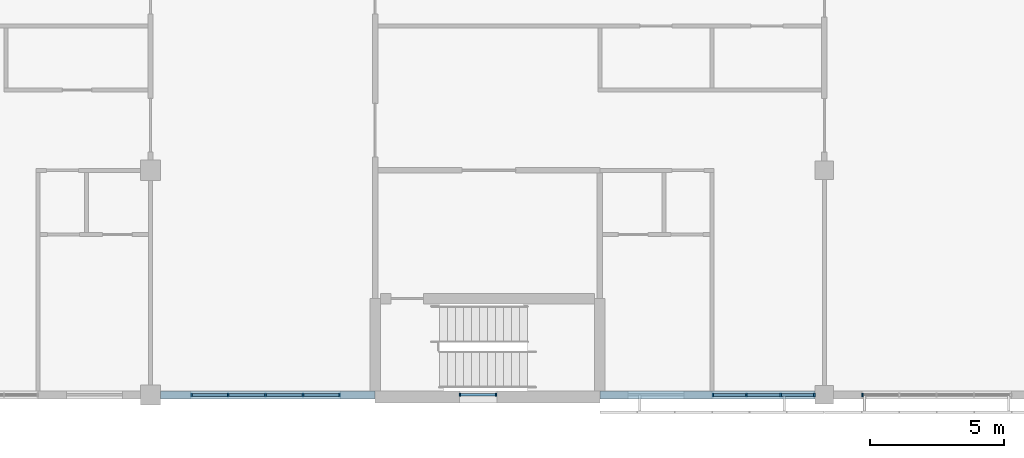
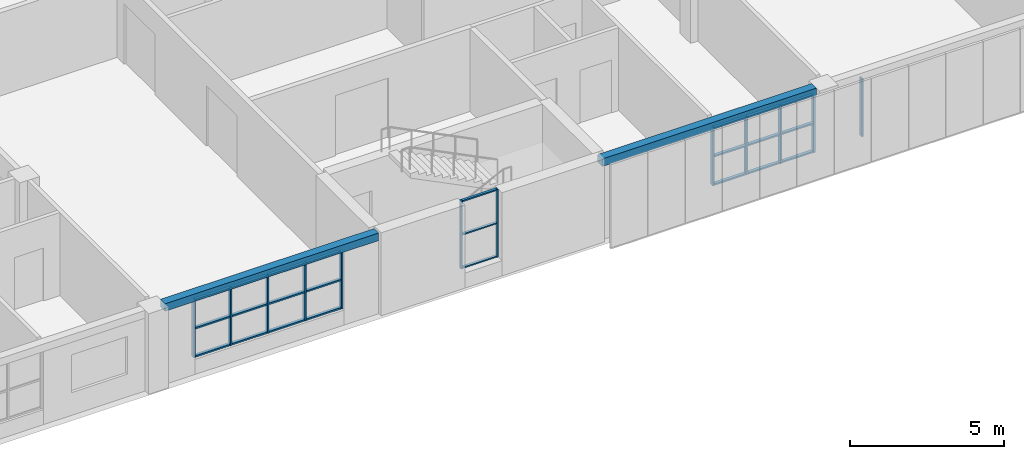
# One storey, part 17 of 48: 36 members, 2 beams, 4 elements without a shape of their own.
"""IFC4 building model written with IfcOpenShell, lengths in metres."""

from ifc_helpers import new_model, si_unit, direction, frame, origin, origin_2d, place, context, subcontext, project, spatial, rectangle, extrude, material, material_profile, profile_set, type_object, element, aggregate, save


model = new_model("IFC4")

# Units and contexts
model_context = context("Model", 3, precision=1e-05, world=origin(), true_north=direction((0.0, 1.0)))
body_context = subcontext(model_context, "Body", "Model", "MODEL_VIEW")
ifc_project = project(units=[si_unit("LENGTHUNIT", "METRE"), si_unit("AREAUNIT", "SQUARE_METRE"), si_unit("VOLUMEUNIT", "CUBIC_METRE"), si_unit("PLANEANGLEUNIT", "RADIAN"), si_unit("MASSUNIT", "GRAM", prefix="KILO")], contexts=[model_context])

# Site, building, storey
site_placement = place(None, origin())
site = spatial("IfcSite", under=ifc_project, at=site_placement, CompositionType="ELEMENT")
building_placement = place(site_placement, origin())
building = spatial("IfcBuilding", under=site, at=building_placement, Name="Yavir Park General Hospital", CompositionType="ELEMENT")
storey_placement = place(building_placement, frame((0.0, 0.0, 26.10009765625)))
storey = spatial("IfcBuildingStorey", under=building, at=storey_placement, Name="L06", CompositionType="ELEMENT", Elevation=26.10009765625)

# Curtain wall, members
ifc_material_1 = material(Name="Aluminium curtain wall frame with insulated glazing", Category="aluminium")
curtain_wall_type_1 = type_object("IfcCurtainWallType", Name="Day room pocket glazing, ward floors, 2300 high, 1400 module", PredefinedType="NOTDEFINED", material=ifc_material_1)
curtain_wall_1_placement = place(storey_placement, origin())
curtain_wall_1 = element("IfcCurtainWall", 1, at=curtain_wall_1_placement, inside=storey, type_object=curtain_wall_type_1, Name="CW63 L06-006", PredefinedType="NOTDEFINED")
ifc_material_2 = material(Name="Aluminium", Category="aluminium")
ifc_material_profile_1 = material_profile(ifc_material_2, rectangle(XDim=0.139892578125, YDim=0.06005859375, at=origin_2d()), Name="AL 60x140")
ifc_profile_set_1 = profile_set([ifc_material_profile_1], Name="Aluminium")
member_type_1 = type_object("IfcMemberType", Name="Day room pocket glazing, ward floors, 2300 high mullion 60 x 140", PredefinedType="MULLION", material=ifc_profile_set_1)
member_1_placement = place(storey_placement, frame((127.530029296875, 0.0, 0.599853515625), z_axis=(0.0, 0.0, 1.0), x_axis=(0.0, 1.0, 0.0)))
member_1 = element("IfcMember", 2, at=member_1_placement, type_object=member_type_1, Name="CW63 mullion 1", PredefinedType="MULLION", context=body_context, shape_type="SweptSolid", body=[
    extrude(rectangle(XDim=0.139892578125, YDim=0.06005859375, at=origin_2d()), origin(), (0.0, 0.0, 1.0), 2.300048828125),
])
member_2_placement = place(storey_placement, frame((128.89990234375, 0.0, 0.599853515625), z_axis=(0.0, 0.0, 1.0), x_axis=(0.0, 1.0, 0.0)))
member_2 = element("IfcMember", 3, at=member_2_placement, type_object=member_type_1, Name="CW63 mullion 2", PredefinedType="MULLION", context=body_context, shape_type="SweptSolid", body=[
    extrude(rectangle(XDim=0.139892578125, YDim=0.06005859375, at=origin_2d()), origin(), (0.0, 0.0, 1.0), 2.300048828125),
])
member_3_placement = place(storey_placement, frame((130.300048828125, 0.0, 0.599853515625), z_axis=(0.0, 0.0, 1.0), x_axis=(0.0, 1.0, 0.0)))
member_3 = element("IfcMember", 4, at=member_3_placement, type_object=member_type_1, Name="CW63 mullion 3", PredefinedType="MULLION", context=body_context, shape_type="SweptSolid", body=[
    extrude(rectangle(XDim=0.139892578125, YDim=0.06005859375, at=origin_2d()), origin(), (0.0, 0.0, 1.0), 2.300048828125),
])
member_4_placement = place(storey_placement, frame((131.699951171875, 0.0, 0.599853515625), z_axis=(0.0, 0.0, 1.0), x_axis=(0.0, 1.0, 0.0)))
member_4 = element("IfcMember", 5, at=member_4_placement, type_object=member_type_1, Name="CW63 mullion 4", PredefinedType="MULLION", context=body_context, shape_type="SweptSolid", body=[
    extrude(rectangle(XDim=0.139892578125, YDim=0.06005859375, at=origin_2d()), origin(), (0.0, 0.0, 1.0), 2.300048828125),
])
member_5_placement = place(storey_placement, frame((133.070068359375, 0.0, 0.599853515625), z_axis=(0.0, 0.0, 1.0), x_axis=(0.0, 1.0, 0.0)))
member_5 = element("IfcMember", 6, at=member_5_placement, type_object=member_type_1, Name="CW63 mullion 5", PredefinedType="MULLION", context=body_context, shape_type="SweptSolid", body=[
    extrude(rectangle(XDim=0.139892578125, YDim=0.06005859375, at=origin_2d()), origin(), (0.0, 0.0, 1.0), 2.300048828125),
])

curtain_wall_2_placement = place(storey_placement, origin())
curtain_wall_2 = element("IfcCurtainWall", 7, at=curtain_wall_2_placement, inside=storey, type_object=curtain_wall_type_1, Name="CW63 L06-008", PredefinedType="NOTDEFINED")
member_6_placement = place(storey_placement, frame((147.030029296875, 0.0, 0.599853515625), z_axis=(0.0, 0.0, 1.0), x_axis=(0.0, 1.0, 0.0)))
member_6 = element("IfcMember", 8, at=member_6_placement, type_object=member_type_1, Name="CW63 mullion 1", PredefinedType="MULLION", context=body_context, shape_type="SweptSolid", body=[
    extrude(rectangle(XDim=0.139892578125, YDim=0.06005859375, at=origin_2d()), origin(), (0.0, 0.0, 1.0), 2.300048828125),
])
member_7_placement = place(storey_placement, frame((148.283447265625, 0.0, 0.599853515625), z_axis=(0.0, 0.0, 1.0), x_axis=(0.0, 1.0, 0.0)))
member_7 = element("IfcMember", 9, at=member_7_placement, type_object=member_type_1, Name="CW63 mullion 2", PredefinedType="MULLION", context=body_context, shape_type="SweptSolid", body=[
    extrude(rectangle(XDim=0.139892578125, YDim=0.06005859375, at=origin_2d()), origin(), (0.0, 0.0, 1.0), 2.300048828125),
])
member_8_placement = place(storey_placement, frame((149.566650390625, 0.0, 0.599853515625), z_axis=(0.0, 0.0, 1.0), x_axis=(0.0, 1.0, 0.0)))
member_8 = element("IfcMember", 10, at=member_8_placement, type_object=member_type_1, Name="CW63 mullion 3", PredefinedType="MULLION", context=body_context, shape_type="SweptSolid", body=[
    extrude(rectangle(XDim=0.139892578125, YDim=0.06005859375, at=origin_2d()), origin(), (0.0, 0.0, 1.0), 2.300048828125),
])
member_9_placement = place(storey_placement, frame((150.820068359375, 0.0, 0.599853515625), z_axis=(0.0, 0.0, 1.0), x_axis=(0.0, 1.0, 0.0)))
member_9 = element("IfcMember", 11, at=member_9_placement, type_object=member_type_1, Name="CW63 mullion 4", PredefinedType="MULLION", context=body_context, shape_type="SweptSolid", body=[
    extrude(rectangle(XDim=0.139892578125, YDim=0.06005859375, at=origin_2d()), origin(), (0.0, 0.0, 1.0), 2.300048828125),
])

# Curtain wall, member
curtain_wall_3_placement = place(storey_placement, origin())
curtain_wall_3 = element("IfcCurtainWall", 12, at=curtain_wall_3_placement, inside=storey, type_object=curtain_wall_type_1, Name="CW63 L06-009", PredefinedType="NOTDEFINED")
member_10_placement = place(storey_placement, frame((152.6298828125, 0.0, 0.599853515625), z_axis=(0.0, 0.0, 1.0), x_axis=(0.0, 1.0, 0.0)))
member_10 = element("IfcMember", 13, at=member_10_placement, type_object=member_type_1, Name="CW63 mullion 1", PredefinedType="MULLION", context=body_context, shape_type="SweptSolid", body=[
    extrude(rectangle(XDim=0.139892578125, YDim=0.06005859375, at=origin_2d()), origin(), (0.0, 0.0, 1.0), 2.300048828125),
])
aggregate(curtain_wall_3, [member_10])

# Member
ifc_material_3 = material(Name="Aluminium", Category="aluminium")
ifc_material_profile_2 = material_profile(ifc_material_3, rectangle(XDim=0.1201171875, YDim=0.06005859375, at=origin_2d()), Name="AL 120x60")
ifc_profile_set_2 = profile_set([ifc_material_profile_2], Name="Aluminium")
member_type_2 = type_object("IfcMemberType", Name="Day room pocket glazing, ward floors, 2300 high transom 60 x 120", PredefinedType="MULLION", material=ifc_profile_set_2)
member_11_placement = place(storey_placement, frame((127.56005859375, 0.0, 0.6298828125), z_axis=(1.0, 0.0, 0.0), x_axis=(0.0, 1.0, 0.0)))
member_11 = element("IfcMember", 14, at=member_11_placement, type_object=member_type_2, Name="CW63 transom 1.1", PredefinedType="MULLION", context=body_context, shape_type="SweptSolid", body=[
    extrude(rectangle(XDim=0.1201171875, YDim=0.06005859375, at=origin_2d()), origin(), (0.0, 0.0, 1.0), 1.31005859375),
])

member_12_placement = place(storey_placement, frame((127.56005859375, 0.0, 1.75), z_axis=(1.0, 0.0, 0.0), x_axis=(0.0, 1.0, 0.0)))
member_12 = element("IfcMember", 15, at=member_12_placement, type_object=member_type_2, Name="CW63 transom 1.2", PredefinedType="MULLION", context=body_context, shape_type="SweptSolid", body=[
    extrude(rectangle(XDim=0.1201171875, YDim=0.06005859375, at=origin_2d()), origin(), (0.0, 0.0, 1.0), 1.31005859375),
])

member_13_placement = place(storey_placement, frame((127.56005859375, 0.0, 2.869873046875), z_axis=(1.0, 0.0, 0.0), x_axis=(0.0, 1.0, 0.0)))
member_13 = element("IfcMember", 16, at=member_13_placement, type_object=member_type_2, Name="CW63 transom 1.3", PredefinedType="MULLION", context=body_context, shape_type="SweptSolid", body=[
    extrude(rectangle(XDim=0.1201171875, YDim=0.06005859375, at=origin_2d()), origin(), (0.0, 0.0, 1.0), 1.31005859375),
])

member_14_placement = place(storey_placement, frame((128.929931640625, 0.0, 0.6298828125), z_axis=(1.0, 0.0, 0.0), x_axis=(0.0, 1.0, 0.0)))
member_14 = element("IfcMember", 17, at=member_14_placement, type_object=member_type_2, Name="CW63 transom 2.1", PredefinedType="MULLION", context=body_context, shape_type="SweptSolid", body=[
    extrude(rectangle(XDim=0.1201171875, YDim=0.06005859375, at=origin_2d()), origin(), (0.0, 0.0, 1.0), 1.340087890625),
])

member_15_placement = place(storey_placement, frame((128.929931640625, 0.0, 1.75), z_axis=(1.0, 0.0, 0.0), x_axis=(0.0, 1.0, 0.0)))
member_15 = element("IfcMember", 18, at=member_15_placement, type_object=member_type_2, Name="CW63 transom 2.2", PredefinedType="MULLION", context=body_context, shape_type="SweptSolid", body=[
    extrude(rectangle(XDim=0.1201171875, YDim=0.06005859375, at=origin_2d()), origin(), (0.0, 0.0, 1.0), 1.340087890625),
])

member_16_placement = place(storey_placement, frame((128.929931640625, 0.0, 2.869873046875), z_axis=(1.0, 0.0, 0.0), x_axis=(0.0, 1.0, 0.0)))
member_16 = element("IfcMember", 19, at=member_16_placement, type_object=member_type_2, Name="CW63 transom 2.3", PredefinedType="MULLION", context=body_context, shape_type="SweptSolid", body=[
    extrude(rectangle(XDim=0.1201171875, YDim=0.06005859375, at=origin_2d()), origin(), (0.0, 0.0, 1.0), 1.340087890625),
])

member_17_placement = place(storey_placement, frame((130.330078125, 0.0, 0.6298828125), z_axis=(1.0, 0.0, 0.0), x_axis=(0.0, 1.0, 0.0)))
member_17 = element("IfcMember", 20, at=member_17_placement, type_object=member_type_2, Name="CW63 transom 3.1", PredefinedType="MULLION", context=body_context, shape_type="SweptSolid", body=[
    extrude(rectangle(XDim=0.1201171875, YDim=0.06005859375, at=origin_2d()), origin(), (0.0, 0.0, 1.0), 1.33984375),
])

member_18_placement = place(storey_placement, frame((130.330078125, 0.0, 1.75), z_axis=(1.0, 0.0, 0.0), x_axis=(0.0, 1.0, 0.0)))
member_18 = element("IfcMember", 21, at=member_18_placement, type_object=member_type_2, Name="CW63 transom 3.2", PredefinedType="MULLION", context=body_context, shape_type="SweptSolid", body=[
    extrude(rectangle(XDim=0.1201171875, YDim=0.06005859375, at=origin_2d()), origin(), (0.0, 0.0, 1.0), 1.33984375),
])

member_19_placement = place(storey_placement, frame((130.330078125, 0.0, 2.869873046875), z_axis=(1.0, 0.0, 0.0), x_axis=(0.0, 1.0, 0.0)))
member_19 = element("IfcMember", 22, at=member_19_placement, type_object=member_type_2, Name="CW63 transom 3.3", PredefinedType="MULLION", context=body_context, shape_type="SweptSolid", body=[
    extrude(rectangle(XDim=0.1201171875, YDim=0.06005859375, at=origin_2d()), origin(), (0.0, 0.0, 1.0), 1.33984375),
])

member_20_placement = place(storey_placement, frame((131.72998046875, 0.0, 0.6298828125), z_axis=(1.0, 0.0, 0.0), x_axis=(0.0, 1.0, 0.0)))
member_20 = element("IfcMember", 23, at=member_20_placement, type_object=member_type_2, Name="CW63 transom 4.1", PredefinedType="MULLION", context=body_context, shape_type="SweptSolid", body=[
    extrude(rectangle(XDim=0.1201171875, YDim=0.06005859375, at=origin_2d()), origin(), (0.0, 0.0, 1.0), 1.31005859375),
])

member_21_placement = place(storey_placement, frame((131.72998046875, 0.0, 1.75), z_axis=(1.0, 0.0, 0.0), x_axis=(0.0, 1.0, 0.0)))
member_21 = element("IfcMember", 24, at=member_21_placement, type_object=member_type_2, Name="CW63 transom 4.2", PredefinedType="MULLION", context=body_context, shape_type="SweptSolid", body=[
    extrude(rectangle(XDim=0.1201171875, YDim=0.06005859375, at=origin_2d()), origin(), (0.0, 0.0, 1.0), 1.31005859375),
])

member_22_placement = place(storey_placement, frame((131.72998046875, 0.0, 2.869873046875), z_axis=(1.0, 0.0, 0.0), x_axis=(0.0, 1.0, 0.0)))
member_22 = element("IfcMember", 25, at=member_22_placement, type_object=member_type_2, Name="CW63 transom 4.3", PredefinedType="MULLION", context=body_context, shape_type="SweptSolid", body=[
    extrude(rectangle(XDim=0.1201171875, YDim=0.06005859375, at=origin_2d()), origin(), (0.0, 0.0, 1.0), 1.31005859375),
])

aggregate(curtain_wall_1, [member_1, member_2, member_3, member_4, member_5, member_11, member_12, member_13, member_14, member_15, member_16, member_17, member_18, member_19, member_20, member_21, member_22])

member_23_placement = place(storey_placement, frame((147.06005859375, 0.0, 0.6298828125), z_axis=(1.0, 0.0, 0.0), x_axis=(0.0, 1.0, 0.0)))
member_23 = element("IfcMember", 26, at=member_23_placement, type_object=member_type_2, Name="CW63 transom 1.1", PredefinedType="MULLION", context=body_context, shape_type="SweptSolid", body=[
    extrude(rectangle(XDim=0.1201171875, YDim=0.06005859375, at=origin_2d()), origin(), (0.0, 0.0, 1.0), 1.193359375),
])

member_24_placement = place(storey_placement, frame((147.06005859375, 0.0, 1.75), z_axis=(1.0, 0.0, 0.0), x_axis=(0.0, 1.0, 0.0)))
member_24 = element("IfcMember", 27, at=member_24_placement, type_object=member_type_2, Name="CW63 transom 1.2", PredefinedType="MULLION", context=body_context, shape_type="SweptSolid", body=[
    extrude(rectangle(XDim=0.1201171875, YDim=0.06005859375, at=origin_2d()), origin(), (0.0, 0.0, 1.0), 1.193359375),
])

member_25_placement = place(storey_placement, frame((147.06005859375, 0.0, 2.869873046875), z_axis=(1.0, 0.0, 0.0), x_axis=(0.0, 1.0, 0.0)))
member_25 = element("IfcMember", 28, at=member_25_placement, type_object=member_type_2, Name="CW63 transom 1.3", PredefinedType="MULLION", context=body_context, shape_type="SweptSolid", body=[
    extrude(rectangle(XDim=0.1201171875, YDim=0.06005859375, at=origin_2d()), origin(), (0.0, 0.0, 1.0), 1.193359375),
])

member_26_placement = place(storey_placement, frame((148.313232421875, 0.0, 0.6298828125), z_axis=(1.0, 0.0, 0.0), x_axis=(0.0, 1.0, 0.0)))
member_26 = element("IfcMember", 29, at=member_26_placement, type_object=member_type_2, Name="CW63 transom 2.1", PredefinedType="MULLION", context=body_context, shape_type="SweptSolid", body=[
    extrude(rectangle(XDim=0.1201171875, YDim=0.06005859375, at=origin_2d()), origin(), (0.0, 0.0, 1.0), 1.223388671875),
])

member_27_placement = place(storey_placement, frame((148.313232421875, 0.0, 1.75), z_axis=(1.0, 0.0, 0.0), x_axis=(0.0, 1.0, 0.0)))
member_27 = element("IfcMember", 30, at=member_27_placement, type_object=member_type_2, Name="CW63 transom 2.2", PredefinedType="MULLION", context=body_context, shape_type="SweptSolid", body=[
    extrude(rectangle(XDim=0.1201171875, YDim=0.06005859375, at=origin_2d()), origin(), (0.0, 0.0, 1.0), 1.223388671875),
])

member_28_placement = place(storey_placement, frame((148.313232421875, 0.0, 2.869873046875), z_axis=(1.0, 0.0, 0.0), x_axis=(0.0, 1.0, 0.0)))
member_28 = element("IfcMember", 31, at=member_28_placement, type_object=member_type_2, Name="CW63 transom 2.3", PredefinedType="MULLION", context=body_context, shape_type="SweptSolid", body=[
    extrude(rectangle(XDim=0.1201171875, YDim=0.06005859375, at=origin_2d()), origin(), (0.0, 0.0, 1.0), 1.223388671875),
])

member_29_placement = place(storey_placement, frame((149.5966796875, 0.0, 0.6298828125), z_axis=(1.0, 0.0, 0.0), x_axis=(0.0, 1.0, 0.0)))
member_29 = element("IfcMember", 32, at=member_29_placement, type_object=member_type_2, Name="CW63 transom 3.1", PredefinedType="MULLION", context=body_context, shape_type="SweptSolid", body=[
    extrude(rectangle(XDim=0.1201171875, YDim=0.06005859375, at=origin_2d()), origin(), (0.0, 0.0, 1.0), 1.193359375),
])

member_30_placement = place(storey_placement, frame((149.5966796875, 0.0, 1.75), z_axis=(1.0, 0.0, 0.0), x_axis=(0.0, 1.0, 0.0)))
member_30 = element("IfcMember", 33, at=member_30_placement, type_object=member_type_2, Name="CW63 transom 3.2", PredefinedType="MULLION", context=body_context, shape_type="SweptSolid", body=[
    extrude(rectangle(XDim=0.1201171875, YDim=0.06005859375, at=origin_2d()), origin(), (0.0, 0.0, 1.0), 1.193359375),
])

member_31_placement = place(storey_placement, frame((149.5966796875, 0.0, 2.869873046875), z_axis=(1.0, 0.0, 0.0), x_axis=(0.0, 1.0, 0.0)))
member_31 = element("IfcMember", 34, at=member_31_placement, type_object=member_type_2, Name="CW63 transom 3.3", PredefinedType="MULLION", context=body_context, shape_type="SweptSolid", body=[
    extrude(rectangle(XDim=0.1201171875, YDim=0.06005859375, at=origin_2d()), origin(), (0.0, 0.0, 1.0), 1.193359375),
])

aggregate(curtain_wall_2, [member_6, member_7, member_8, member_9, member_23, member_24, member_25, member_26, member_27, member_28, member_29, member_30, member_31])

# Beams
ifc_material_4 = material(Name="Concrete C35/45", Category="concrete")
ifc_material_profile_3 = material_profile(ifc_material_4, rectangle(XDim=0.300048828125, YDim=0.300048828125, at=origin_2d()), Name="RC300x300")
ifc_profile_set_3 = profile_set([ifc_material_profile_3], Name="Concrete C35/45")
beam_type = type_object("IfcBeamType", Name="RC BEAM 300x300 edge beam", PredefinedType="BEAM", material=ifc_profile_set_3)
beam_1_placement = place(storey_placement, frame((126.375, 0.0, 3.0498046875), z_axis=(1.0, 0.0, 0.0), x_axis=(0.0, 1.0, 0.0)))
element("IfcBeam", 35, at=beam_1_placement, inside=storey, type_object=beam_type, Name="B:EDGE:L06:007", PredefinedType="BEAM", context=body_context, shape_type="SweptSolid", body=[
    extrude(rectangle(XDim=0.300048828125, YDim=0.300048828125, at=origin_2d()), origin(), (0.0, 0.0, 1.0), 8.02490234375),
])
beam_2_placement = place(storey_placement, frame((142.800048828125, 0.0, 3.0498046875), z_axis=(1.0, 0.0, 0.0), x_axis=(0.0, 1.0, 0.0)))
element("IfcBeam", 36, at=beam_2_placement, inside=storey, type_object=beam_type, Name="B:EDGE:L06:008", PredefinedType="BEAM", context=body_context, shape_type="SweptSolid", body=[
    extrude(rectangle(XDim=0.300048828125, YDim=0.300048828125, at=origin_2d()), origin(), (0.0, 0.0, 1.0), 8.050048828125),
])

# Curtain wall, members
ifc_material_5 = material(Name="Aluminium curtain wall frame with insulated glazing", Category="aluminium")
curtain_wall_type_2 = type_object("IfcCurtainWallType", Name="Stair light slot, ward floors, 2700 high, 1400 module", PredefinedType="NOTDEFINED", material=ifc_material_5)
curtain_wall_4_placement = place(storey_placement, origin())
curtain_wall_4 = element("IfcCurtainWall", 37, at=curtain_wall_4_placement, inside=storey, type_object=curtain_wall_type_2, Name="CW64 L06-007", PredefinedType="NOTDEFINED")
ifc_material_6 = material(Name="Aluminium", Category="aluminium")
ifc_material_profile_4 = material_profile(ifc_material_6, rectangle(XDim=0.1201171875, YDim=0.050048828125, at=origin_2d()), Name="AL 50x120")
ifc_profile_set_4 = profile_set([ifc_material_profile_4], Name="Aluminium")
member_type_3 = type_object("IfcMemberType", Name="Stair light slot, ward floors, 2700 high mullion 50 x 120", PredefinedType="MULLION", material=ifc_profile_set_4)
member_32_placement = place(storey_placement, frame((137.574951171875, 0.0, 0.599853515625), z_axis=(0.0, 0.0, 1.0), x_axis=(0.0, 1.0, 0.0)))
member_32 = element("IfcMember", 38, at=member_32_placement, type_object=member_type_3, Name="CW64 mullion 1", PredefinedType="MULLION", context=body_context, shape_type="SweptSolid", body=[
    extrude(rectangle(XDim=0.1201171875, YDim=0.050048828125, at=origin_2d()), origin(), (0.0, 0.0, 1.0), 2.699951171875),
])
member_33_placement = place(storey_placement, frame((138.925048828125, 0.0, 0.599853515625), z_axis=(0.0, 0.0, 1.0), x_axis=(0.0, 1.0, 0.0)))
member_33 = element("IfcMember", 39, at=member_33_placement, type_object=member_type_3, Name="CW64 mullion 2", PredefinedType="MULLION", context=body_context, shape_type="SweptSolid", body=[
    extrude(rectangle(XDim=0.1201171875, YDim=0.050048828125, at=origin_2d()), origin(), (0.0, 0.0, 1.0), 2.699951171875),
])
ifc_material_7 = material(Name="Aluminium", Category="aluminium")
ifc_material_profile_5 = material_profile(ifc_material_7, rectangle(XDim=0.10009765625, YDim=0.050048828125, at=origin_2d()), Name="AL 100x50")
ifc_profile_set_5 = profile_set([ifc_material_profile_5], Name="Aluminium")
member_type_4 = type_object("IfcMemberType", Name="Stair light slot, ward floors, 2700 high transom 50 x 100", PredefinedType="MULLION", material=ifc_profile_set_5)
member_34_placement = place(storey_placement, frame((137.60009765625, 0.0, 0.625), z_axis=(1.0, 0.0, 0.0), x_axis=(0.0, 1.0, 0.0)))
member_34 = element("IfcMember", 40, at=member_34_placement, type_object=member_type_4, Name="CW64 transom 1.1", PredefinedType="MULLION", context=body_context, shape_type="SweptSolid", body=[
    extrude(rectangle(XDim=0.10009765625, YDim=0.050048828125, at=origin_2d()), origin(), (0.0, 0.0, 1.0), 1.2998046875),
])
member_35_placement = place(storey_placement, frame((137.60009765625, 0.0, 1.949951171875), z_axis=(1.0, 0.0, 0.0), x_axis=(0.0, 1.0, 0.0)))
member_35 = element("IfcMember", 41, at=member_35_placement, type_object=member_type_4, Name="CW64 transom 1.2", PredefinedType="MULLION", context=body_context, shape_type="SweptSolid", body=[
    extrude(rectangle(XDim=0.10009765625, YDim=0.050048828125, at=origin_2d()), origin(), (0.0, 0.0, 1.0), 1.2998046875),
])
member_36_placement = place(storey_placement, frame((137.60009765625, 0.0, 3.27490234375), z_axis=(1.0, 0.0, 0.0), x_axis=(0.0, 1.0, 0.0)))
member_36 = element("IfcMember", 42, at=member_36_placement, type_object=member_type_4, Name="CW64 transom 1.3", PredefinedType="MULLION", context=body_context, shape_type="SweptSolid", body=[
    extrude(rectangle(XDim=0.10009765625, YDim=0.050048828125, at=origin_2d()), origin(), (0.0, 0.0, 1.0), 1.2998046875),
])
aggregate(curtain_wall_4, [member_32, member_33, member_34, member_35, member_36])

save(model, "model.ifc")
